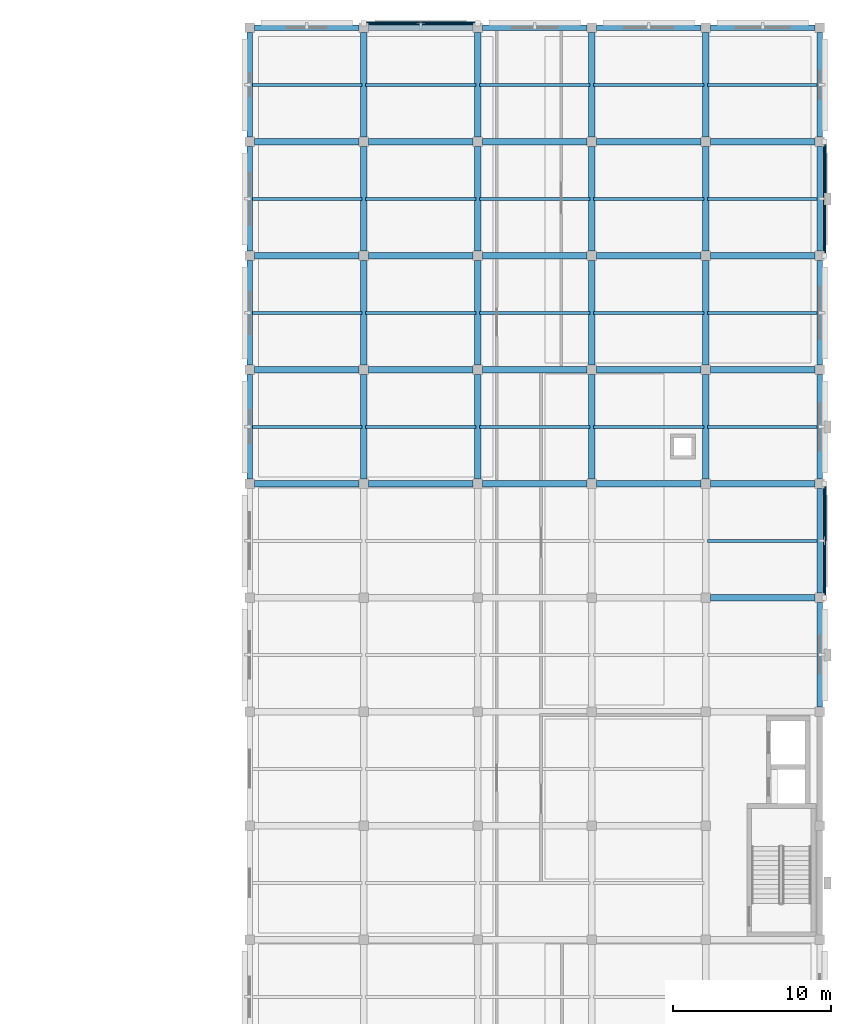
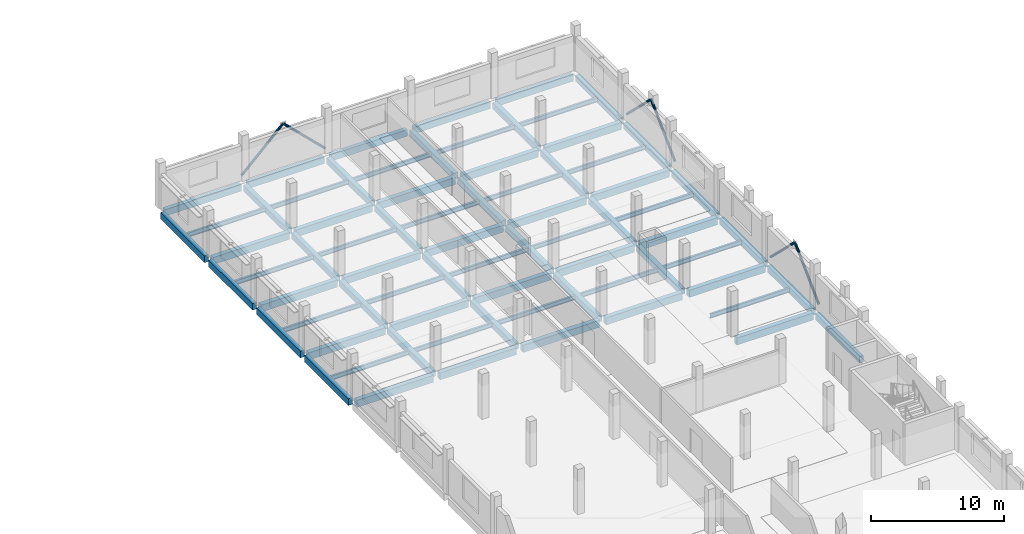
# One storey, part 24 of 51: 73 beams, 6 members.
"""IFC4 building model written with IfcOpenShell, lengths in metres."""

import ifcopenshell
import ifcopenshell.guid

model = None  # the IFC model being written
_history = None  # IfcOwnerHistory: only IFC2X3 demands one
_inside = {}  # id of a spatial element -> (the spatial element, [elements in it])
_under = {}  # id of a project, library or spatial element -> (it, [spatial elements below it])
_declared = {}  # id of a project -> (the project, [libraries it declares])
_typed = {}  # id of a type object -> (the type object, [elements of that type])
_made_of = {}  # id of a material, layer set ... -> (it, [elements and type objects made of it])


def new_model(schema):
    """Start an empty IFC model of exactly this schema.

    Asked for "IFC4X3", IfcOpenShell would pick the latest addendum, in which some entities
    have other attributes; the version numbers below select the first issue.
    IFC2X3 requires an IfcOwnerHistory on every rooted entity: one is made here for all.
    """
    global model, _history
    if schema == "IFC4X3":
        model = ifcopenshell.file(schema_version=(4, 3, 0, 0))
    else:
        model = ifcopenshell.file(schema=schema)
    _inside.clear()
    _under.clear()
    _declared.clear()
    _typed.clear()
    _made_of.clear()
    _history = None
    if model.schema == "IFC2X3":
        org = make("IfcOrganization", Name="unknown")
        user = make(
            "IfcPersonAndOrganization",
            ThePerson=make("IfcPerson", FamilyName="unknown"),
            TheOrganization=org,
        )
        app = make(
            "IfcApplication",
            ApplicationDeveloper=org,
            Version="unknown",
            ApplicationFullName="unknown",
            ApplicationIdentifier="unknown",
        )
        _history = make(
            "IfcOwnerHistory",
            OwningUser=user,
            OwningApplication=app,
            ChangeAction="ADDED",
            CreationDate=0,
        )
    return model


def make(cls, **values):
    """One entity of the class cls with the attributes given. An attribute that is None is left unset."""
    return model.create_entity(
        cls, **{name: value for name, value in values.items() if value is not None}
    )


def rooted(cls, **values):
    """An entity with a GlobalId (a new one), such as an element, a storey or a relation."""
    return make(cls, GlobalId=ifcopenshell.guid.new(), OwnerHistory=_history, **values)


def si_unit(unit_type, name, prefix=None):
    """IfcSIUnit, for example si_unit("LENGTHUNIT", "METRE", prefix="MILLI")."""
    return make("IfcSIUnit", UnitType=unit_type, Prefix=prefix, Name=name)


def assignment(units):
    """IfcUnitAssignment: the units of a project."""
    return None if units is None else make("IfcUnitAssignment", Units=units)


def point(xyz):
    """IfcCartesianPoint."""
    return None if xyz is None else make("IfcCartesianPoint", Coordinates=xyz)


def direction(xyz):
    """IfcDirection."""
    return None if xyz is None else make("IfcDirection", DirectionRatios=xyz)


def frame(location, z_axis=None, x_axis=None):
    """IfcAxis2Placement3D, a coordinate frame: its origin and axes. An axis left out is left unset."""
    return make(
        "IfcAxis2Placement3D",
        Location=point(location),
        Axis=direction(z_axis),
        RefDirection=direction(x_axis),
    )


def frame_2d(location, x_axis=None):
    """IfcAxis2Placement2D, a coordinate frame in the plane: its origin and x axis."""
    return make(
        "IfcAxis2Placement2D", Location=point(location), RefDirection=direction(x_axis)
    )


def origin():
    """The frame at (0, 0, 0) with its axes left unset."""
    return frame((0.0, 0.0, 0.0))


def origin_2d():
    """The frame at (0, 0) in the plane with its x axis left unset."""
    return frame_2d((0.0, 0.0))


def place(relative_to, where):
    """IfcLocalPlacement: puts the frame where relative to a parent placement (None: the world)."""
    return make(
        "IfcLocalPlacement", PlacementRelTo=relative_to, RelativePlacement=where
    )


def context(
    kind, dimensions, precision=None, world=None, true_north=None, identifier=None
):
    """IfcGeometricRepresentationContext, for example the 3D "Model" context."""
    return make(
        "IfcGeometricRepresentationContext",
        ContextIdentifier=identifier,
        ContextType=kind,
        CoordinateSpaceDimension=dimensions,
        Precision=precision,
        WorldCoordinateSystem=world,
        TrueNorth=true_north,
    )


def subcontext(parent, identifier, kind, view, scale=None):
    """IfcGeometricRepresentationSubContext, for example "Body" below "Model"."""
    return make(
        "IfcGeometricRepresentationSubContext",
        ContextIdentifier=identifier,
        ContextType=kind,
        ParentContext=parent,
        TargetScale=scale,
        TargetView=view,
    )


def project(units=None, contexts=None):
    """IfcProject with its units and contexts."""
    return rooted(
        "IfcProject",
        Name="project",
        RepresentationContexts=contexts,
        UnitsInContext=assignment(units),
    )


def spatial(cls, under=None, at=None, **own):
    """A site, building, storey or space (cls), placed at a placement, below another one or the project."""
    s = rooted(cls, ObjectPlacement=at, **own)
    if under is not None:
        _under.setdefault(under.id(), (under, []))[1].append(s)
    return s


def profile(cls, at=None, kind="AREA", **sizes):
    """A parametric profile (cls). Its sizes go by their IFC names, for example OverallWidth=200.0."""
    return make(cls, ProfileType=kind, Position=at, **sizes)


def rectangle(**sizes):
    """IfcRectangleProfileDef."""
    return profile("IfcRectangleProfileDef", **sizes)


def hollow_circle(**sizes):
    """IfcCircleHollowProfileDef."""
    return profile("IfcCircleHollowProfileDef", **sizes)


def i_section(**sizes):
    """IfcIShapeProfileDef."""
    return profile("IfcIShapeProfileDef", **sizes)


def extrude(swept, where, along, depth):
    """IfcExtrudedAreaSolid: the profile swept, set in the frame where, extruded along a direction by depth."""
    return make(
        "IfcExtrudedAreaSolid",
        SweptArea=swept,
        Position=where,
        ExtrudedDirection=direction(along),
        Depth=depth,
    )


def shape(context_of_items, identifier, shape_type, items):
    """IfcShapeRepresentation: the items that make up one representation, for example the "Body"."""
    return make(
        "IfcShapeRepresentation",
        ContextOfItems=context_of_items,
        RepresentationIdentifier=identifier,
        RepresentationType=shape_type,
        Items=items,
    )


def material(Name=None, Category=None):
    """IfcMaterial."""
    return make("IfcMaterial", Name=Name, Category=Category)


def material_profile(
    of_material, cross_section, Name=None, Category=None, Priority=None
):
    """IfcMaterialProfile: a cross section and its material."""
    return make(
        "IfcMaterialProfile",
        Name=Name,
        Material=of_material,
        Profile=cross_section,
        Priority=Priority,
        Category=Category,
    )


def profile_set(profiles, Name=None, composite=None):
    """IfcMaterialProfileSet."""
    return make(
        "IfcMaterialProfileSet",
        Name=Name,
        MaterialProfiles=profiles,
        CompositeProfile=composite,
    )


def made_of(thing, what):
    """Note that an element or type object is made of a material, layer set ...; save() writes the relation."""
    if what is not None:
        _made_of.setdefault(what.id(), (what, []))[1].append(thing)
    return thing


def type_object(cls, material=None, **own):
    """A type object (cls), such as IfcWallType, which elements share."""
    return made_of(rooted(cls, **own), material)


def element(
    cls,
    number,
    at=None,
    inside=None,
    cuts=None,
    type_object=None,
    material=None,
    context=None,
    identifier="Body",
    shape_type=None,
    held_by="IfcProductDefinitionShape",
    body=None,
    shapes=None,
    **own,
):
    """One element of the class cls, such as IfcWall. Its Tag is "e" and its number.

    at: its placement. inside: the storey or other place that contains it. cuts: it is an
    opening in that element (IfcRelVoidsElement). A single representation is given by context,
    identifier, shape_type and body (its items); several are given by shapes. held_by: the class
    of the entity that holds the representations. save() writes the other relations.
    """
    e = rooted(cls, Tag="e%d" % number, ObjectPlacement=at, **own)
    if body is not None:
        shapes = [shape(context, identifier, shape_type, body)]
    if shapes is not None:
        e.Representation = make(held_by, Representations=shapes)
    if inside is not None:
        _inside.setdefault(inside.id(), (inside, []))[1].append(e)
    if cuts is not None:
        rooted(
            "IfcRelVoidsElement", RelatingBuildingElement=cuts, RelatedOpeningElement=e
        )
    if type_object is not None:
        _typed.setdefault(type_object.id(), (type_object, []))[1].append(e)
    return made_of(e, material)


def aggregate(whole, parts):
    """IfcRelAggregates: a whole, such as a stair, and the parts it consists of."""
    return rooted("IfcRelAggregates", RelatingObject=whole, RelatedObjects=parts)


def save(model, path):
    """Write the relations noted so far, then the file.

    IfcRelAggregates (storeys below a building ...), IfcRelContainedInSpatialStructure (elements
    in a storey), IfcRelDefinesByType, IfcRelAssociatesMaterial and IfcRelDeclares: one each for
    every whole, place, type object, material and project.
    """
    for whole, parts in _under.values():
        aggregate(whole, parts)
    for where, things in _inside.values():
        rooted(
            "IfcRelContainedInSpatialStructure",
            RelatedElements=things,
            RelatingStructure=where,
        )
    for kind, things in _typed.values():
        rooted("IfcRelDefinesByType", RelatedObjects=things, RelatingType=kind)
    for what, things in _made_of.values():
        rooted("IfcRelAssociatesMaterial", RelatedObjects=things, RelatingMaterial=what)
    for by, libraries in _declared.values():
        rooted("IfcRelDeclares", RelatingContext=by, RelatedDefinitions=libraries)
    model.write(path)


model = new_model("IFC4")

# Units and contexts
model_context = context("Model", 3, precision=1e-05, world=origin(), true_north=direction((0.0, 1.0)))
body_context = subcontext(model_context, "Body", "Model", "MODEL_VIEW")
ifc_project = project(units=[si_unit("LENGTHUNIT", "METRE"), si_unit("AREAUNIT", "SQUARE_METRE"), si_unit("VOLUMEUNIT", "CUBIC_METRE"), si_unit("PLANEANGLEUNIT", "RADIAN"), si_unit("MASSUNIT", "GRAM", prefix="KILO")], contexts=[model_context])

# Site, building, storey
site_placement = place(None, origin())
site = spatial("IfcSite", under=ifc_project, at=site_placement, CompositionType="ELEMENT")
building_placement = place(site_placement, origin())
building = spatial("IfcBuilding", under=site, at=building_placement, Name="Valkovuoma Quantum and Materials Research Institute", CompositionType="ELEMENT")
storey_placement = place(building_placement, frame((0.0, 0.0, 17.280029296875)))
storey = spatial("IfcBuildingStorey", under=building, at=storey_placement, Name="L04", CompositionType="ELEMENT", Elevation=17.280029296875)

# Beams
ifc_material_1 = material(Name="Steel S355J2", Category="steel")
ifc_material_profile_1 = material_profile(ifc_material_1, i_section(OverallWidth=0.179931640625, OverallDepth=0.39990234375, WebThickness=0.008544921875, FlangeThickness=0.013427734375, FilletRadius=0.02099609375, at=origin_2d()), Name="Steel S355J2")
ifc_profile_set_1 = profile_set([ifc_material_profile_1], Name="Steel S355J2")
beam_type_1 = type_object("IfcBeamType", Name="Beam-B-JST400", PredefinedType="JOIST", material=ifc_profile_set_1)
for number, where, z_axis, x_axis, name in (
    (1, (158.52001953125, 82.800048828125, -0.550048828125), (1.0, 0.0, 0.0), (0.0, 1.0, 0.0), "L04 floor joist 2073"),
    (2, (129.719970703125, 90.0, -0.550048828125), (1.0, 0.0, 0.0), (0.0, 1.0, 0.0), "L04 floor joist 2080"),
    (3, (136.919921875, 90.0, -0.550048828125), (1.0, 0.0, 0.0), (0.0, 1.0, 0.0), "L04 floor joist 2081"),
    (4, (144.1201171875, 90.0, -0.550048828125), (1.0, 0.0, 0.0), (0.0, 1.0, 0.0), "L04 floor joist 2082"),
    (5, (151.320068359375, 90.0, -0.550048828125), (1.0, 0.0, 0.0), (0.0, 1.0, 0.0), "L04 floor joist 2083"),
    (6, (158.52001953125, 90.0, -0.550048828125), (1.0, 0.0, 0.0), (0.0, 1.0, 0.0), "L04 floor joist 2084"),
    (7, (129.719970703125, 97.199951171875, -0.550048828125), (1.0, 0.0, 0.0), (0.0, 1.0, 0.0), "L04 floor joist 2089"),
    (8, (136.919921875, 97.199951171875, -0.550048828125), (1.0, 0.0, 0.0), (0.0, 1.0, 0.0), "L04 floor joist 2090"),
    (9, (144.1201171875, 97.199951171875, -0.550048828125), (1.0, 0.0, 0.0), (0.0, 1.0, 0.0), "L04 floor joist 2091"),
    (10, (151.320068359375, 97.199951171875, -0.550048828125), (1.0, 0.0, 0.0), (0.0, 1.0, 0.0), "L04 floor joist 2092"),
    (11, (158.52001953125, 97.199951171875, -0.550048828125), (1.0, 0.0, 0.0), (0.0, 1.0, 0.0), "L04 floor joist 2093"),
    (12, (129.719970703125, 104.39990234375, -0.550048828125), (1.0, 0.0, 0.0), (0.0, 1.0, 0.0), "L04 floor joist 2098"),
    (13, (136.919921875, 104.39990234375, -0.550048828125), (1.0, 0.0, 0.0), (0.0, 1.0, 0.0), "L04 floor joist 2099"),
    (14, (144.1201171875, 104.39990234375, -0.550048828125), (1.0, 0.0, 0.0), (0.0, 1.0, 0.0), "L04 floor joist 2100"),
    (15, (151.320068359375, 104.39990234375, -0.550048828125), (1.0, 0.0, 0.0), (0.0, 1.0, 0.0), "L04 floor joist 2101"),
    (16, (158.52001953125, 104.39990234375, -0.550048828125), (1.0, 0.0, 0.0), (0.0, 1.0, 0.0), "L04 floor joist 2102"),
    (17, (129.719970703125, 111.60009765625, -0.550048828125), (1.0, 0.0, 0.0), (0.0, 1.0, 0.0), "L04 floor joist 2103"),
    (18, (136.919921875, 111.60009765625, -0.550048828125), (1.0, 0.0, 0.0), (0.0, 1.0, 0.0), "L04 floor joist 2104"),
    (19, (144.1201171875, 111.60009765625, -0.550048828125), (1.0, 0.0, 0.0), (0.0, 1.0, 0.0), "L04 floor joist 2105"),
    (20, (151.320068359375, 111.60009765625, -0.550048828125), (1.0, 0.0, 0.0), (0.0, 1.0, 0.0), "L04 floor joist 2106"),
    (21, (158.52001953125, 111.60009765625, -0.550048828125), (1.0, 0.0, 0.0), (0.0, 1.0, 0.0), "L04 floor joist 2107"),
):
    element("IfcBeam", number, at=place(storey_placement, frame(where, z_axis=z_axis, x_axis=x_axis)), inside=storey, type_object=beam_type_1, Name=name, PredefinedType="JOIST", context=body_context, shape_type="SweptSolid", body=[
        extrude(i_section(OverallWidth=0.179931640625, OverallDepth=0.39990234375, WebThickness=0.008544921875, FlangeThickness=0.013427734375, FilletRadius=0.02099609375, at=origin_2d()), origin(), (0.0, 0.0, 1.0), 6.9599609375),
    ])
ifc_material_2 = material(Name="Concrete C40/50", Category="concrete")
ifc_material_profile_2 = material_profile(ifc_material_2, rectangle(XDim=0.39990234375, YDim=0.550048828125, at=origin_2d()), Name="Concrete C40/50")
ifc_profile_set_2 = profile_set([ifc_material_profile_2], Name="Concrete C40/50")
beam_type_2 = type_object("IfcBeamType", Name="Beam-B-RC550", PredefinedType="BEAM", material=ifc_profile_set_2)
for number, where, z_axis, x_axis, name in (
    (22, (136.800048828125, 86.699951171875, -0.625), (0.0, 1.0, 0.0), (-1.0, 0.0, 0.0), "L04 beam Y-1974"),
    (23, (136.800048828125, 93.89990234375, -0.625), (0.0, 1.0, 0.0), (-1.0, 0.0, 0.0), "L04 beam Y-1975"),
):
    element("IfcBeam", number, at=place(storey_placement, frame(where, z_axis=z_axis, x_axis=x_axis)), inside=storey, type_object=beam_type_2, Name=name, PredefinedType="BEAM", context=body_context, shape_type="SweptSolid", body=[
        extrude(rectangle(XDim=0.39990234375, YDim=0.550048828125, at=origin_2d()), origin(), (0.0, 0.0, 1.0), 6.60009765625),
    ])
for number, where, z_axis, x_axis, name in (
    (24, (136.800048828125, 101.10009765625, -0.625), (0.0, 1.0, 0.0), (-1.0, 0.0, 0.0), "L04 beam Y-1976"),
    (25, (136.800048828125, 108.300048828125, -0.625), (0.0, 1.0, 0.0), (-1.0, 0.0, 0.0), "L04 beam Y-1977"),
):
    element("IfcBeam", number, at=place(storey_placement, frame(where, z_axis=z_axis, x_axis=x_axis)), inside=storey, type_object=beam_type_2, Name=name, PredefinedType="BEAM", context=body_context, shape_type="SweptSolid", body=[
        extrude(rectangle(XDim=0.39990234375, YDim=0.550048828125, at=origin_2d()), origin(), (0.0, 0.0, 1.0), 6.599853515625),
    ])
for number, where, z_axis, x_axis, name in (
    (26, (144.0, 86.699951171875, -0.625), (0.0, 1.0, 0.0), (-1.0, 0.0, 0.0), "L04 beam Y-1985"),
    (27, (144.0, 93.89990234375, -0.625), (0.0, 1.0, 0.0), (-1.0, 0.0, 0.0), "L04 beam Y-1986"),
):
    element("IfcBeam", number, at=place(storey_placement, frame(where, z_axis=z_axis, x_axis=x_axis)), inside=storey, type_object=beam_type_2, Name=name, PredefinedType="BEAM", context=body_context, shape_type="SweptSolid", body=[
        extrude(rectangle(XDim=0.39990234375, YDim=0.550048828125, at=origin_2d()), origin(), (0.0, 0.0, 1.0), 6.60009765625),
    ])
for number, where, z_axis, x_axis, name in (
    (28, (144.0, 101.10009765625, -0.625), (0.0, 1.0, 0.0), (-1.0, 0.0, 0.0), "L04 beam Y-1987"),
    (29, (144.0, 108.300048828125, -0.625), (0.0, 1.0, 0.0), (-1.0, 0.0, 0.0), "L04 beam Y-1988"),
):
    element("IfcBeam", number, at=place(storey_placement, frame(where, z_axis=z_axis, x_axis=x_axis)), inside=storey, type_object=beam_type_2, Name=name, PredefinedType="BEAM", context=body_context, shape_type="SweptSolid", body=[
        extrude(rectangle(XDim=0.39990234375, YDim=0.550048828125, at=origin_2d()), origin(), (0.0, 0.0, 1.0), 6.599853515625),
    ])
for number, where, z_axis, x_axis, name in (
    (30, (151.199951171875, 86.699951171875, -0.625), (0.0, 1.0, 0.0), (-1.0, 0.0, 0.0), "L04 beam Y-1996"),
    (31, (151.199951171875, 93.89990234375, -0.625), (0.0, 1.0, 0.0), (-1.0, 0.0, 0.0), "L04 beam Y-1997"),
):
    element("IfcBeam", number, at=place(storey_placement, frame(where, z_axis=z_axis, x_axis=x_axis)), inside=storey, type_object=beam_type_2, Name=name, PredefinedType="BEAM", context=body_context, shape_type="SweptSolid", body=[
        extrude(rectangle(XDim=0.39990234375, YDim=0.550048828125, at=origin_2d()), origin(), (0.0, 0.0, 1.0), 6.60009765625),
    ])
for number, where, z_axis, x_axis, name in (
    (32, (151.199951171875, 101.10009765625, -0.625), (0.0, 1.0, 0.0), (-1.0, 0.0, 0.0), "L04 beam Y-1998"),
    (33, (151.199951171875, 108.300048828125, -0.625), (0.0, 1.0, 0.0), (-1.0, 0.0, 0.0), "L04 beam Y-1999"),
):
    element("IfcBeam", number, at=place(storey_placement, frame(where, z_axis=z_axis, x_axis=x_axis)), inside=storey, type_object=beam_type_2, Name=name, PredefinedType="BEAM", context=body_context, shape_type="SweptSolid", body=[
        extrude(rectangle(XDim=0.39990234375, YDim=0.550048828125, at=origin_2d()), origin(), (0.0, 0.0, 1.0), 6.599853515625),
    ])
for number, where, z_axis, x_axis, name in (
    (34, (158.39990234375, 86.699951171875, -0.625), (0.0, 1.0, 0.0), (-1.0, 0.0, 0.0), "L04 beam Y-2007"),
    (35, (158.39990234375, 93.89990234375, -0.625), (0.0, 1.0, 0.0), (-1.0, 0.0, 0.0), "L04 beam Y-2008"),
):
    element("IfcBeam", number, at=place(storey_placement, frame(where, z_axis=z_axis, x_axis=x_axis)), inside=storey, type_object=beam_type_2, Name=name, PredefinedType="BEAM", context=body_context, shape_type="SweptSolid", body=[
        extrude(rectangle(XDim=0.39990234375, YDim=0.550048828125, at=origin_2d()), origin(), (0.0, 0.0, 1.0), 6.60009765625),
    ])
for number, where, z_axis, x_axis, name in (
    (36, (158.39990234375, 101.10009765625, -0.625), (0.0, 1.0, 0.0), (-1.0, 0.0, 0.0), "L04 beam Y-2009"),
    (37, (158.39990234375, 108.300048828125, -0.625), (0.0, 1.0, 0.0), (-1.0, 0.0, 0.0), "L04 beam Y-2010"),
):
    element("IfcBeam", number, at=place(storey_placement, frame(where, z_axis=z_axis, x_axis=x_axis)), inside=storey, type_object=beam_type_2, Name=name, PredefinedType="BEAM", context=body_context, shape_type="SweptSolid", body=[
        extrude(rectangle(XDim=0.39990234375, YDim=0.550048828125, at=origin_2d()), origin(), (0.0, 0.0, 1.0), 6.599853515625),
    ])
ifc_material_3 = material(Name="Concrete C40/50", Category="concrete")
ifc_material_profile_3 = material_profile(ifc_material_3, rectangle(XDim=0.39990234375, YDim=0.64990234375, at=origin_2d()), Name="Concrete C40/50")
ifc_profile_set_3 = profile_set([ifc_material_profile_3], Name="Concrete C40/50")
beam_type_3 = type_object("IfcBeamType", Name="Beam-B-RC650", PredefinedType="BEAM", material=ifc_profile_set_3)
for number, where, z_axis, x_axis, name in (
    (38, (158.699951171875, 79.199951171875, -0.675048828125), (1.0, 0.0, 0.0), (0.0, 1.0, 0.0), "L04 beam X-1871"),
    (39, (129.89990234375, 86.39990234375, -0.675048828125), (1.0, 0.0, 0.0), (0.0, 1.0, 0.0), "L04 beam X-1878"),
):
    element("IfcBeam", number, at=place(storey_placement, frame(where, z_axis=z_axis, x_axis=x_axis)), inside=storey, type_object=beam_type_3, Name=name, PredefinedType="BEAM", context=body_context, shape_type="SweptSolid", body=[
        extrude(rectangle(XDim=0.39990234375, YDim=0.64990234375, at=origin_2d()), origin(), (0.0, 0.0, 1.0), 6.60009765625),
    ])
for number, where, z_axis, x_axis, name in (
    (40, (137.10009765625, 86.39990234375, -0.675048828125), (1.0, 0.0, 0.0), (0.0, 1.0, 0.0), "L04 beam X-1879"),
    (41, (144.300048828125, 86.39990234375, -0.675048828125), (1.0, 0.0, 0.0), (0.0, 1.0, 0.0), "L04 beam X-1880"),
):
    element("IfcBeam", number, at=place(storey_placement, frame(where, z_axis=z_axis, x_axis=x_axis)), inside=storey, type_object=beam_type_3, Name=name, PredefinedType="BEAM", context=body_context, shape_type="SweptSolid", body=[
        extrude(rectangle(XDim=0.39990234375, YDim=0.64990234375, at=origin_2d()), origin(), (0.0, 0.0, 1.0), 6.599853515625),
    ])
for number, where, z_axis, x_axis, name in (
    (42, (151.5, 86.39990234375, -0.675048828125), (1.0, 0.0, 0.0), (0.0, 1.0, 0.0), "L04 beam X-1881"),
    (43, (158.699951171875, 86.39990234375, -0.675048828125), (1.0, 0.0, 0.0), (0.0, 1.0, 0.0), "L04 beam X-1882"),
    (44, (129.89990234375, 93.60009765625, -0.675048828125), (1.0, 0.0, 0.0), (0.0, 1.0, 0.0), "L04 beam X-1889"),
):
    element("IfcBeam", number, at=place(storey_placement, frame(where, z_axis=z_axis, x_axis=x_axis)), inside=storey, type_object=beam_type_3, Name=name, PredefinedType="BEAM", context=body_context, shape_type="SweptSolid", body=[
        extrude(rectangle(XDim=0.39990234375, YDim=0.64990234375, at=origin_2d()), origin(), (0.0, 0.0, 1.0), 6.60009765625),
    ])
for number, where, z_axis, x_axis, name in (
    (45, (137.10009765625, 93.60009765625, -0.675048828125), (1.0, 0.0, 0.0), (0.0, 1.0, 0.0), "L04 beam X-1890"),
    (46, (144.300048828125, 93.60009765625, -0.675048828125), (1.0, 0.0, 0.0), (0.0, 1.0, 0.0), "L04 beam X-1891"),
):
    element("IfcBeam", number, at=place(storey_placement, frame(where, z_axis=z_axis, x_axis=x_axis)), inside=storey, type_object=beam_type_3, Name=name, PredefinedType="BEAM", context=body_context, shape_type="SweptSolid", body=[
        extrude(rectangle(XDim=0.39990234375, YDim=0.64990234375, at=origin_2d()), origin(), (0.0, 0.0, 1.0), 6.599853515625),
    ])
for number, where, z_axis, x_axis, name in (
    (47, (151.5, 93.60009765625, -0.675048828125), (1.0, 0.0, 0.0), (0.0, 1.0, 0.0), "L04 beam X-1892"),
    (48, (158.699951171875, 93.60009765625, -0.675048828125), (1.0, 0.0, 0.0), (0.0, 1.0, 0.0), "L04 beam X-1893"),
    (49, (129.89990234375, 100.800048828125, -0.675048828125), (1.0, 0.0, 0.0), (0.0, 1.0, 0.0), "L04 beam X-1898"),
):
    element("IfcBeam", number, at=place(storey_placement, frame(where, z_axis=z_axis, x_axis=x_axis)), inside=storey, type_object=beam_type_3, Name=name, PredefinedType="BEAM", context=body_context, shape_type="SweptSolid", body=[
        extrude(rectangle(XDim=0.39990234375, YDim=0.64990234375, at=origin_2d()), origin(), (0.0, 0.0, 1.0), 6.60009765625),
    ])
for number, where, z_axis, x_axis, name in (
    (50, (137.10009765625, 100.800048828125, -0.675048828125), (1.0, 0.0, 0.0), (0.0, 1.0, 0.0), "L04 beam X-1899"),
    (51, (144.300048828125, 100.800048828125, -0.675048828125), (1.0, 0.0, 0.0), (0.0, 1.0, 0.0), "L04 beam X-1900"),
):
    element("IfcBeam", number, at=place(storey_placement, frame(where, z_axis=z_axis, x_axis=x_axis)), inside=storey, type_object=beam_type_3, Name=name, PredefinedType="BEAM", context=body_context, shape_type="SweptSolid", body=[
        extrude(rectangle(XDim=0.39990234375, YDim=0.64990234375, at=origin_2d()), origin(), (0.0, 0.0, 1.0), 6.599853515625),
    ])
for number, where, z_axis, x_axis, name in (
    (52, (151.5, 100.800048828125, -0.675048828125), (1.0, 0.0, 0.0), (0.0, 1.0, 0.0), "L04 beam X-1901"),
    (53, (158.699951171875, 100.800048828125, -0.675048828125), (1.0, 0.0, 0.0), (0.0, 1.0, 0.0), "L04 beam X-1902"),
    (54, (129.89990234375, 108.0, -0.675048828125), (1.0, 0.0, 0.0), (0.0, 1.0, 0.0), "L04 beam X-1907"),
):
    element("IfcBeam", number, at=place(storey_placement, frame(where, z_axis=z_axis, x_axis=x_axis)), inside=storey, type_object=beam_type_3, Name=name, PredefinedType="BEAM", context=body_context, shape_type="SweptSolid", body=[
        extrude(rectangle(XDim=0.39990234375, YDim=0.64990234375, at=origin_2d()), origin(), (0.0, 0.0, 1.0), 6.60009765625),
    ])
for number, where, z_axis, x_axis, name in (
    (55, (137.10009765625, 108.0, -0.675048828125), (1.0, 0.0, 0.0), (0.0, 1.0, 0.0), "L04 beam X-1908"),
    (56, (144.300048828125, 108.0, -0.675048828125), (1.0, 0.0, 0.0), (0.0, 1.0, 0.0), "L04 beam X-1909"),
):
    element("IfcBeam", number, at=place(storey_placement, frame(where, z_axis=z_axis, x_axis=x_axis)), inside=storey, type_object=beam_type_3, Name=name, PredefinedType="BEAM", context=body_context, shape_type="SweptSolid", body=[
        extrude(rectangle(XDim=0.39990234375, YDim=0.64990234375, at=origin_2d()), origin(), (0.0, 0.0, 1.0), 6.599853515625),
    ])
for number, where, z_axis, x_axis, name in (
    (57, (151.5, 108.0, -0.675048828125), (1.0, 0.0, 0.0), (0.0, 1.0, 0.0), "L04 beam X-1910"),
    (58, (158.699951171875, 108.0, -0.675048828125), (1.0, 0.0, 0.0), (0.0, 1.0, 0.0), "L04 beam X-1911"),
):
    element("IfcBeam", number, at=place(storey_placement, frame(where, z_axis=z_axis, x_axis=x_axis)), inside=storey, type_object=beam_type_3, Name=name, PredefinedType="BEAM", context=body_context, shape_type="SweptSolid", body=[
        extrude(rectangle(XDim=0.39990234375, YDim=0.64990234375, at=origin_2d()), origin(), (0.0, 0.0, 1.0), 6.60009765625),
    ])
ifc_material_4 = material(Name="Concrete C40/50", Category="concrete")
ifc_material_profile_4 = material_profile(ifc_material_4, rectangle(XDim=0.35009765625, YDim=0.60009765625, at=origin_2d()), Name="Concrete C40/50")
ifc_profile_set_4 = profile_set([ifc_material_profile_4], Name="Concrete C40/50")
beam_type_4 = type_object("IfcBeamType", Name="Beam-B-SPN600", PredefinedType="SPANDREL", material=ifc_profile_set_4)
beam_placement = place(storey_placement, frame((129.89990234375, 115.199951171875, -0.650146484375), z_axis=(1.0, 0.0, 0.0), x_axis=(0.0, 1.0, 0.0)))
element("IfcBeam", 59, at=beam_placement, inside=storey, type_object=beam_type_4, Name="L04 beam X-1912", PredefinedType="SPANDREL", context=body_context, shape_type="SweptSolid", body=[
    extrude(rectangle(XDim=0.35009765625, YDim=0.60009765625, at=origin_2d()), origin(), (0.0, 0.0, 1.0), 6.60009765625),
])
for number, where, z_axis, x_axis, name in (
    (60, (137.10009765625, 115.199951171875, -0.650146484375), (1.0, 0.0, 0.0), (0.0, 1.0, 0.0), "L04 beam X-1913"),
    (61, (144.300048828125, 115.199951171875, -0.650146484375), (1.0, 0.0, 0.0), (0.0, 1.0, 0.0), "L04 beam X-1914"),
):
    element("IfcBeam", number, at=place(storey_placement, frame(where, z_axis=z_axis, x_axis=x_axis)), inside=storey, type_object=beam_type_4, Name=name, PredefinedType="SPANDREL", context=body_context, shape_type="SweptSolid", body=[
        extrude(rectangle(XDim=0.35009765625, YDim=0.60009765625, at=origin_2d()), origin(), (0.0, 0.0, 1.0), 6.599853515625),
    ])
for number, where, z_axis, x_axis, name in (
    (62, (151.5, 115.199951171875, -0.650146484375), (1.0, 0.0, 0.0), (0.0, 1.0, 0.0), "L04 beam X-1915"),
    (63, (158.699951171875, 115.199951171875, -0.650146484375), (1.0, 0.0, 0.0), (0.0, 1.0, 0.0), "L04 beam X-1916"),
    (64, (129.60009765625, 86.699951171875, -0.650146484375), (0.0, 1.0, 0.0), (-1.0, 0.0, 0.0), "L04 beam Y-1963"),
    (65, (129.60009765625, 93.89990234375, -0.650146484375), (0.0, 1.0, 0.0), (-1.0, 0.0, 0.0), "L04 beam Y-1964"),
):
    element("IfcBeam", number, at=place(storey_placement, frame(where, z_axis=z_axis, x_axis=x_axis)), inside=storey, type_object=beam_type_4, Name=name, PredefinedType="SPANDREL", context=body_context, shape_type="SweptSolid", body=[
        extrude(rectangle(XDim=0.35009765625, YDim=0.60009765625, at=origin_2d()), origin(), (0.0, 0.0, 1.0), 6.60009765625),
    ])
for number, where, z_axis, x_axis, name in (
    (66, (129.60009765625, 101.10009765625, -0.650146484375), (0.0, 1.0, 0.0), (-1.0, 0.0, 0.0), "L04 beam Y-1965"),
    (67, (129.60009765625, 108.300048828125, -0.650146484375), (0.0, 1.0, 0.0), (-1.0, 0.0, 0.0), "L04 beam Y-1966"),
    (68, (165.60009765625, 72.300048828125, -0.650146484375), (0.0, 1.0, 0.0), (-1.0, 0.0, 0.0), "L04 beam Y-2014"),
):
    element("IfcBeam", number, at=place(storey_placement, frame(where, z_axis=z_axis, x_axis=x_axis)), inside=storey, type_object=beam_type_4, Name=name, PredefinedType="SPANDREL", context=body_context, shape_type="SweptSolid", body=[
        extrude(rectangle(XDim=0.35009765625, YDim=0.60009765625, at=origin_2d()), origin(), (0.0, 0.0, 1.0), 6.599853515625),
    ])
for number, where, z_axis, x_axis, name in (
    (69, (165.60009765625, 79.5, -0.650146484375), (0.0, 1.0, 0.0), (-1.0, 0.0, 0.0), "L04 beam Y-2015"),
    (70, (165.60009765625, 86.699951171875, -0.650146484375), (0.0, 1.0, 0.0), (-1.0, 0.0, 0.0), "L04 beam Y-2016"),
    (71, (165.60009765625, 93.89990234375, -0.650146484375), (0.0, 1.0, 0.0), (-1.0, 0.0, 0.0), "L04 beam Y-2017"),
):
    element("IfcBeam", number, at=place(storey_placement, frame(where, z_axis=z_axis, x_axis=x_axis)), inside=storey, type_object=beam_type_4, Name=name, PredefinedType="SPANDREL", context=body_context, shape_type="SweptSolid", body=[
        extrude(rectangle(XDim=0.35009765625, YDim=0.60009765625, at=origin_2d()), origin(), (0.0, 0.0, 1.0), 6.60009765625),
    ])
for number, where, z_axis, x_axis, name in (
    (72, (165.60009765625, 101.10009765625, -0.650146484375), (0.0, 1.0, 0.0), (-1.0, 0.0, 0.0), "L04 beam Y-2018"),
    (73, (165.60009765625, 108.300048828125, -0.650146484375), (0.0, 1.0, 0.0), (-1.0, 0.0, 0.0), "L04 beam Y-2019"),
):
    element("IfcBeam", number, at=place(storey_placement, frame(where, z_axis=z_axis, x_axis=x_axis)), inside=storey, type_object=beam_type_4, Name=name, PredefinedType="SPANDREL", context=body_context, shape_type="SweptSolid", body=[
        extrude(rectangle(XDim=0.35009765625, YDim=0.60009765625, at=origin_2d()), origin(), (0.0, 0.0, 1.0), 6.599853515625),
    ])

# Members
ifc_material_5 = material(Name="Steel S355J2H", Category="steel")
ifc_material_profile_5 = material_profile(ifc_material_5, hollow_circle(Radius=0.109619140625, WallThickness=0.010009765625, at=origin_2d()), Name="Steel S355J2H")
ifc_profile_set_5 = profile_set([ifc_material_profile_5], Name="Steel S355J2H")
member_type = type_object("IfcMemberType", Name="Mem-M-BRC219", PredefinedType="BRACE", material=ifc_profile_set_5)
member_1_placement = place(storey_placement, frame((165.89990234375, 79.199951171875, 0.099853515625), z_axis=(0.0, 0.716008634166, 0.698091423668), x_axis=(-1.0, 0.0, 0.0)))
element("IfcMember", 74, at=member_1_placement, inside=storey, type_object=member_type, Name="L04 chevron wind brace 12A", PredefinedType="BRACE", context=body_context, shape_type="SweptSolid", body=[
    extrude(hollow_circle(Radius=0.109619140625, WallThickness=0.010009765625, at=origin_2d()), origin(), (0.0, 0.0, 1.0), 5.028076171875),
])
for number, where, z_axis, x_axis, name in (
    (75, (165.89990234375, 86.39990234375, 0.099853515625), (0.0, -0.715984969996, 0.69811569438), (1.0, 0.0, 0.0), "L04 chevron wind brace 12B"),
    (76, (165.89990234375, 100.800048828125, 0.099853515625), (0.0, 0.715984969996, 0.69811569438), (-1.0, 0.0, 0.0), "L04 chevron wind brace 18A"),
):
    element("IfcMember", number, at=place(storey_placement, frame(where, z_axis=z_axis, x_axis=x_axis)), inside=storey, type_object=member_type, Name=name, PredefinedType="BRACE", context=body_context, shape_type="SweptSolid", body=[
        extrude(hollow_circle(Radius=0.109619140625, WallThickness=0.010009765625, at=origin_2d()), origin(), (0.0, 0.0, 1.0), 5.02783203125),
    ])
member_2_placement = place(storey_placement, frame((165.89990234375, 108.0, 0.099853515625), z_axis=(0.0, -0.716008634166, 0.698091423668), x_axis=(1.0, 0.0, 0.0)))
element("IfcMember", 77, at=member_2_placement, inside=storey, type_object=member_type, Name="L04 chevron wind brace 18B", PredefinedType="BRACE", context=body_context, shape_type="SweptSolid", body=[
    extrude(hollow_circle(Radius=0.109619140625, WallThickness=0.010009765625, at=origin_2d()), origin(), (0.0, 0.0, 1.0), 5.028076171875),
])
member_3_placement = place(storey_placement, frame((136.800048828125, 115.5, 0.099853515625), z_axis=(0.715984969996, 0.0, 0.69811569438), x_axis=(0.0, 1.0, 0.0)))
element("IfcMember", 78, at=member_3_placement, inside=storey, type_object=member_type, Name="L04 chevron wind brace 24A", PredefinedType="BRACE", context=body_context, shape_type="SweptSolid", body=[
    extrude(hollow_circle(Radius=0.109619140625, WallThickness=0.010009765625, at=origin_2d()), origin(), (0.0, 0.0, 1.0), 5.02783203125),
])
member_4_placement = place(storey_placement, frame((144.0, 115.5, 0.099853515625), z_axis=(-0.716008634166, 0.0, 0.698091423668), x_axis=(0.0, -1.0, 0.0)))
element("IfcMember", 79, at=member_4_placement, inside=storey, type_object=member_type, Name="L04 chevron wind brace 24B", PredefinedType="BRACE", context=body_context, shape_type="SweptSolid", body=[
    extrude(hollow_circle(Radius=0.109619140625, WallThickness=0.010009765625, at=origin_2d()), origin(), (0.0, 0.0, 1.0), 5.028076171875),
])

save(model, "model.ifc")
